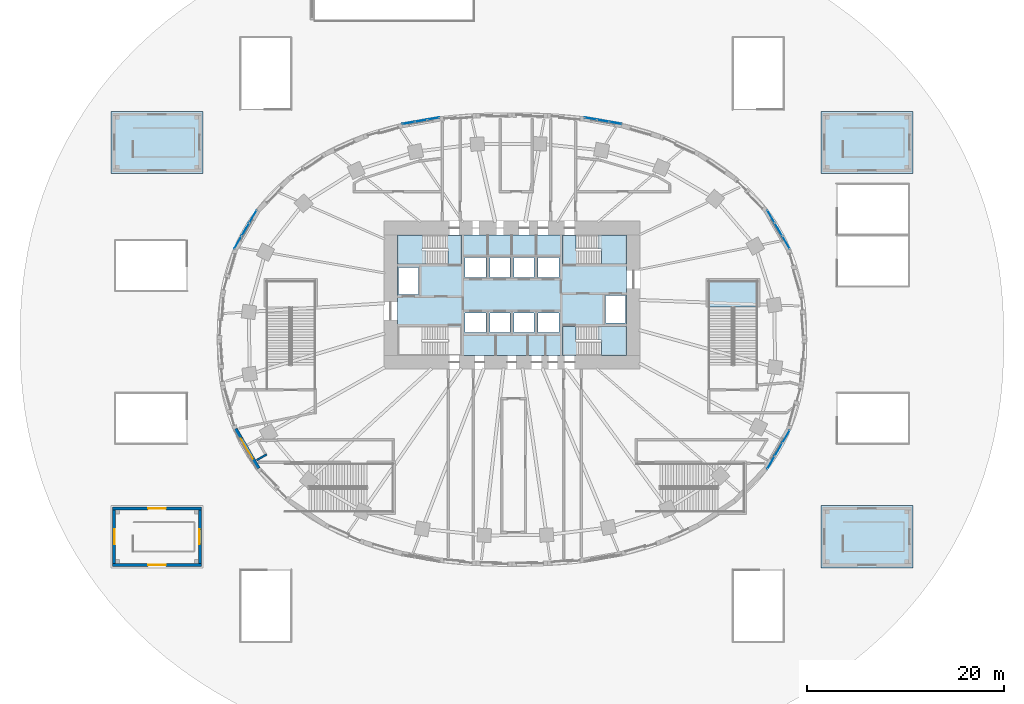
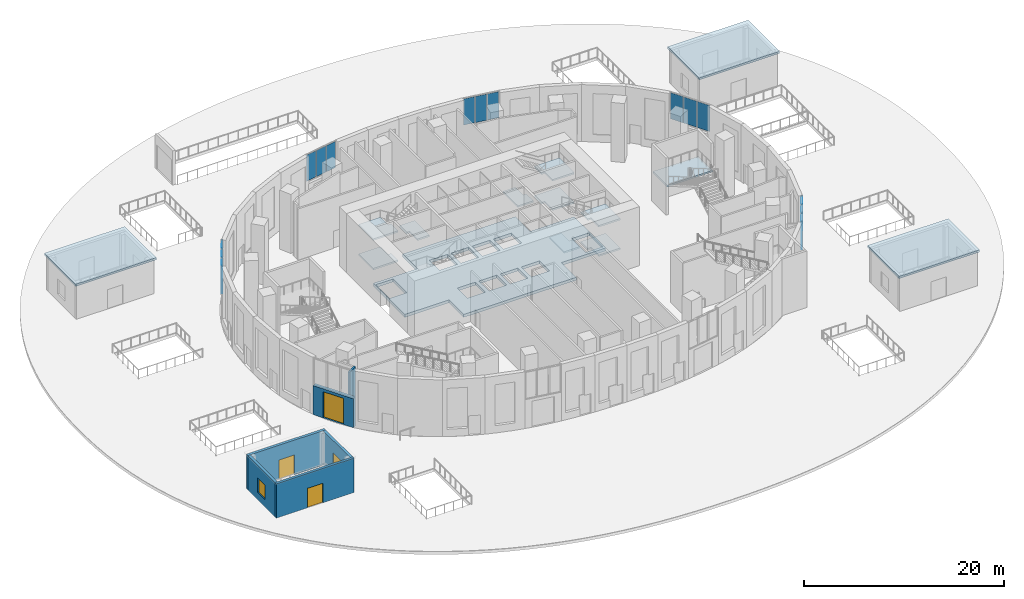
# One storey, part 10 of 27: 15 plates, 14 slabs, 6 walls, 3 doors, 2 windows, 5 openings, 9 elements without a shape of their own.
"""IFC4 building model written with IfcOpenShell, lengths in metres."""

from ifc_helpers import new_model, si_unit, direction, frame, frame_2d, origin, origin_2d, place, context, subcontext, project, spatial, polyline, rectangle, outline, extrude, material, layer, layer_set, type_object, element, fill, aggregate, save


model = new_model("IFC4")

# Units and contexts
model_context = context("Model", 3, precision=1e-05, world=origin(), true_north=direction((0.0, 1.0)))
body_context = subcontext(model_context, "Body", "Model", "MODEL_VIEW")
ifc_project = project(units=[si_unit("LENGTHUNIT", "METRE"), si_unit("AREAUNIT", "SQUARE_METRE"), si_unit("VOLUMEUNIT", "CUBIC_METRE"), si_unit("PLANEANGLEUNIT", "RADIAN"), si_unit("MASSUNIT", "GRAM", prefix="KILO")], contexts=[model_context])

# Site, building, storey
site_placement = place(None, origin())
site = spatial("IfcSite", under=ifc_project, at=site_placement, CompositionType="ELEMENT")
building_placement = place(site_placement, origin())
building = spatial("IfcBuilding", under=site, at=building_placement, Name="Rubra Terraces Tower", CompositionType="ELEMENT")
storey_placement = place(building_placement, origin())
storey = spatial("IfcBuildingStorey", under=building, at=storey_placement, Name="L00", CompositionType="ELEMENT", Elevation=0.0)

# Slab
ifc_material_1 = material(Name="Concrete C40", Category="concrete")
ifc_layer_1 = layer(ifc_material_1, 0.35009765625)
ifc_layer_set_1 = layer_set([ifc_layer_1], Name="Concrete C40")
slab_type_1 = type_object("IfcSlabType", Name="Core floor slab 350 concrete", PredefinedType="FLOOR", material=ifc_layer_set_1)
slab_1_placement = place(storey_placement, frame((0.0, 0.0, -0.35009765625)))
element("IfcSlab", 1, at=slab_1_placement, inside=storey, type_object=slab_type_1, Name="CORE FLOOR SLAB L00", PredefinedType="FLOOR", context=body_context, shape_type="SweptSolid", body=[
    extrude(outline(polyline([(-11.60009765625, 1.347900390625), (-11.60009765625, 7.652099609375), (-6.501953125, 7.652099609375), (-6.501953125, 10.60009765625), (6.501953125, 10.60009765625), (6.501953125, 7.652099609375), (11.60009765625, 7.652099609375), (11.60009765625, 1.347900390625), (6.501953125, 1.347900390625), (6.501953125, -1.60009765625), (-6.501953125, -1.60009765625), (-6.501953125, 1.347900390625), (-11.60009765625, 1.347900390625)]), holes=[polyline([(9.5, 1.699951171875), (11.5, 1.699951171875), (11.5, 4.449951171875), (9.5, 4.449951171875), (9.5, 1.699951171875)]), polyline([(4.75, 0.699951171875), (4.75, 2.699951171875), (2.64990234375, 2.699951171875), (2.64990234375, 0.699951171875), (4.75, 0.699951171875)]), polyline([(4.75, 6.300048828125), (4.75, 8.300048828125), (2.64990234375, 8.300048828125), (2.64990234375, 6.300048828125), (4.75, 6.300048828125)]), polyline([(2.25, 0.699951171875), (2.25, 2.699951171875), (0.199951171875, 2.699951171875), (0.199951171875, 0.699951171875), (2.25, 0.699951171875)]), polyline([(2.25, 6.300048828125), (2.25, 8.300048828125), (0.199951171875, 8.300048828125), (0.199951171875, 6.300048828125), (2.25, 6.300048828125)]), polyline([(-0.199951171875, 0.699951171875), (-0.199951171875, 2.699951171875), (-2.25, 2.699951171875), (-2.25, 0.699951171875), (-0.199951171875, 0.699951171875)]), polyline([(-0.199951171875, 6.300048828125), (-0.199951171875, 8.300048828125), (-2.25, 8.300048828125), (-2.25, 6.300048828125), (-0.199951171875, 6.300048828125)]), polyline([(-2.64990234375, 0.699951171875), (-2.64990234375, 2.699951171875), (-4.75, 2.699951171875), (-4.75, 0.699951171875), (-2.64990234375, 0.699951171875)]), polyline([(-2.64990234375, 8.300048828125), (-4.75, 8.300048828125), (-4.75, 6.300048828125), (-2.64990234375, 6.300048828125), (-2.64990234375, 8.300048828125)]), polyline([(-9.5, 7.300048828125), (-11.5, 7.300048828125), (-11.5, 4.550048828125), (-9.5, 4.550048828125), (-9.5, 7.300048828125)])]), origin(), (0.0, 0.0, 1.0), 0.35009765625),
])

# Stair, slabs
stair_type_1 = type_object("IfcStairType", Name="Core stair 1400", PredefinedType="HALF_TURN_STAIR", material=ifc_material_1)
stair_1_placement = place(storey_placement, origin())
stair_1 = element("IfcStair", 2, at=stair_1_placement, inside=storey, type_object=stair_type_1, Name="L00 Exit stair S2", PredefinedType="HALF_TURN_STAIR")
ifc_layer_2 = layer(ifc_material_1, 0.199951171875)
ifc_layer_set_2 = layer_set([ifc_layer_2], Name="Concrete C40")
slab_type_2 = type_object("IfcSlabType", Name="Core stair landing 200", PredefinedType="LANDING", material=ifc_layer_set_2)
slab_2_placement = place(storey_placement, frame((0.0, 0.0, 1.60009765625)))
slab_2 = element("IfcSlab", 3, at=slab_2_placement, type_object=slab_type_2, Name="S2 landing 1", PredefinedType="LANDING", context=body_context, shape_type="SweptSolid", body=[
    extrude(outline(polyline([(-8.719970703125, 9.050048828125), (-8.719970703125, 7.64990234375), (-9.1201171875, 7.64990234375), (-11.60009765625, 7.64990234375), (-11.60009765625, 10.60009765625), (-9.1201171875, 10.60009765625), (-9.10009765625, 10.60009765625), (-9.097900390625, 10.60009765625), (-9.097900390625, 9.199951171875), (-9.10009765625, 9.199951171875), (-9.10009765625, 9.050048828125), (-8.719970703125, 9.050048828125)])), origin(), (0.0, 0.0, 1.0), 0.199951171875),
])
slab_3_placement = place(storey_placement, frame((0.0, 0.0, 3.39990234375)))
slab_3 = element("IfcSlab", 4, at=slab_3_placement, type_object=slab_type_2, Name="S2 landing 2", PredefinedType="LANDING", context=body_context, shape_type="SweptSolid", body=[
    extrude(outline(polyline([(-6.5, 9.050048828125), (-6.5, 9.199951171875), (-6.8798828125, 9.199951171875), (-6.8798828125, 10.60009765625), (-6.5, 10.60009765625), (-6.47998046875, 10.60009765625), (-5.10009765625, 10.60009765625), (-5.10009765625, 7.64990234375), (-6.47998046875, 7.64990234375), (-6.501953125, 7.64990234375), (-6.501953125, 9.050048828125), (-6.5, 9.050048828125)])), origin(), (0.0, 0.0, 1.0), 0.2001953125),
])
slab_4_placement = place(storey_placement, frame((0.0, 0.0, 5.199951171875)))
slab_4 = element("IfcSlab", 5, at=slab_4_placement, type_object=slab_type_2, Name="S2 landing 3", PredefinedType="LANDING", context=body_context, shape_type="SweptSolid", body=[
    extrude(outline(polyline([(-8.719970703125, 9.050048828125), (-8.719970703125, 7.64990234375), (-9.1201171875, 7.64990234375), (-11.60009765625, 7.64990234375), (-11.60009765625, 10.60009765625), (-9.1201171875, 10.60009765625), (-9.10009765625, 10.60009765625), (-9.097900390625, 10.60009765625), (-9.097900390625, 9.199951171875), (-9.10009765625, 9.199951171875), (-9.10009765625, 9.050048828125), (-8.719970703125, 9.050048828125)])), origin(), (0.0, 0.0, 1.0), 0.199951171875),
])
aggregate(stair_1, [slab_2, slab_3, slab_4])

stair_2_placement = place(storey_placement, origin())
stair_2 = element("IfcStair", 6, at=stair_2_placement, inside=storey, type_object=stair_type_1, Name="L00 Exit stair S3", PredefinedType="HALF_TURN_STAIR")
slab_5_placement = place(storey_placement, frame((0.0, 0.0, 1.60009765625)))
slab_5 = element("IfcSlab", 7, at=slab_5_placement, type_object=slab_type_2, Name="S3 landing 1", PredefinedType="LANDING", context=body_context, shape_type="SweptSolid", body=[
    extrude(outline(polyline([(9.10009765625, 9.050048828125), (9.10009765625, 9.199951171875), (8.719970703125, 9.199951171875), (8.719970703125, 10.60009765625), (9.10009765625, 10.60009765625), (9.1201171875, 10.60009765625), (11.60009765625, 10.60009765625), (11.60009765625, 7.64990234375), (9.1201171875, 7.64990234375), (9.097900390625, 7.64990234375), (9.097900390625, 9.050048828125), (9.10009765625, 9.050048828125)])), origin(), (0.0, 0.0, 1.0), 0.199951171875),
])
slab_6_placement = place(storey_placement, frame((0.0, 0.0, 3.39990234375)))
slab_6 = element("IfcSlab", 8, at=slab_6_placement, type_object=slab_type_2, Name="S3 landing 2", PredefinedType="LANDING", context=body_context, shape_type="SweptSolid", body=[
    extrude(outline(polyline([(6.8798828125, 9.050048828125), (6.8798828125, 7.64990234375), (6.47998046875, 7.64990234375), (5.10009765625, 7.64990234375), (5.10009765625, 10.60009765625), (6.47998046875, 10.60009765625), (6.5, 10.60009765625), (6.501953125, 10.60009765625), (6.501953125, 9.199951171875), (6.5, 9.199951171875), (6.5, 9.050048828125), (6.8798828125, 9.050048828125)])), origin(), (0.0, 0.0, 1.0), 0.2001953125),
])
slab_7_placement = place(storey_placement, frame((0.0, 0.0, 5.199951171875)))
slab_7 = element("IfcSlab", 9, at=slab_7_placement, type_object=slab_type_2, Name="S3 landing 3", PredefinedType="LANDING", context=body_context, shape_type="SweptSolid", body=[
    extrude(outline(polyline([(9.10009765625, 9.050048828125), (9.10009765625, 9.199951171875), (8.719970703125, 9.199951171875), (8.719970703125, 10.60009765625), (9.10009765625, 10.60009765625), (9.1201171875, 10.60009765625), (11.60009765625, 10.60009765625), (11.60009765625, 7.64990234375), (9.1201171875, 7.64990234375), (9.097900390625, 7.64990234375), (9.097900390625, 9.050048828125), (9.10009765625, 9.050048828125)])), origin(), (0.0, 0.0, 1.0), 0.199951171875),
])
aggregate(stair_2, [slab_5, slab_6, slab_7])

stair_3_placement = place(storey_placement, origin())
stair_3 = element("IfcStair", 10, at=stair_3_placement, inside=storey, type_object=stair_type_1, Name="L00 Exit stair S4", PredefinedType="HALF_TURN_STAIR")
slab_8_placement = place(storey_placement, frame((0.0, 0.0, 1.60009765625)))
slab_8 = element("IfcSlab", 11, at=slab_8_placement, type_object=slab_type_2, Name="S4 landing 1", PredefinedType="LANDING", context=body_context, shape_type="SweptSolid", body=[
    extrude(outline(polyline([(9.10009765625, -0.199951171875), (9.10009765625, -0.050048828125), (8.719970703125, -0.050048828125), (8.719970703125, 1.35009765625), (9.10009765625, 1.35009765625), (9.1201171875, 1.35009765625), (11.60009765625, 1.35009765625), (11.60009765625, -1.60009765625), (9.1201171875, -1.60009765625), (9.10009765625, -1.60009765625), (9.097900390625, -1.60009765625), (9.097900390625, -0.199951171875), (9.10009765625, -0.199951171875)])), origin(), (0.0, 0.0, 1.0), 0.199951171875),
])
slab_9_placement = place(storey_placement, frame((0.0, 0.0, 3.39990234375)))
slab_9 = element("IfcSlab", 12, at=slab_9_placement, type_object=slab_type_2, Name="S4 landing 2", PredefinedType="LANDING", context=body_context, shape_type="SweptSolid", body=[
    extrude(outline(polyline([(6.8798828125, -0.199951171875), (6.8798828125, -1.60009765625), (6.5, -1.60009765625), (6.47998046875, -1.60009765625), (5.10009765625, -1.60009765625), (5.10009765625, 1.35009765625), (6.47998046875, 1.35009765625), (6.501953125, 1.35009765625), (6.501953125, -0.050048828125), (6.5, -0.050048828125), (6.5, -0.199951171875), (6.8798828125, -0.199951171875)])), origin(), (0.0, 0.0, 1.0), 0.2001953125),
])
slab_10_placement = place(storey_placement, frame((0.0, 0.0, 5.199951171875)))
slab_10 = element("IfcSlab", 13, at=slab_10_placement, type_object=slab_type_2, Name="S4 landing 3", PredefinedType="LANDING", context=body_context, shape_type="SweptSolid", body=[
    extrude(outline(polyline([(9.10009765625, -0.199951171875), (9.10009765625, -0.050048828125), (8.719970703125, -0.050048828125), (8.719970703125, 1.35009765625), (9.10009765625, 1.35009765625), (9.1201171875, 1.35009765625), (11.60009765625, 1.35009765625), (11.60009765625, -1.60009765625), (9.1201171875, -1.60009765625), (9.10009765625, -1.60009765625), (9.097900390625, -1.60009765625), (9.097900390625, -0.199951171875), (9.10009765625, -0.199951171875)])), origin(), (0.0, 0.0, 1.0), 0.199951171875),
])
aggregate(stair_3, [slab_8, slab_9, slab_10])

# Curtain wall, plates
ifc_material_2 = material(Name="Aluminium and glass", Category="aluminium")
curtain_wall_type = type_object("IfcCurtainWallType", Name="Curtain wall Entrance screen glazing", PredefinedType="NOTDEFINED", material=ifc_material_2)
curtain_wall_1_placement = place(storey_placement, origin())
curtain_wall_1 = element("IfcCurtainWall", 14, at=curtain_wall_1_placement, inside=storey, type_object=curtain_wall_type, Name="L00 entrance screen bay 3", PredefinedType="NOTDEFINED")
ifc_material_3 = material(Name="Clear glass, laminated", Category="glass")
ifc_layer_3 = layer(ifc_material_3, 0.028076171875)
ifc_layer_set_3 = layer_set([ifc_layer_3], Name="Clear glass, laminated")
plate_type = type_object("IfcPlateType", Name="Entrance screen glazing glass panel 28", PredefinedType="CURTAIN_PANEL", material=ifc_layer_set_3)
plate_1_placement = place(storey_placement, frame((27.805908203125, 9.83154296875, 3.64990234375), z_axis=(0.0, 0.0, 1.0), x_axis=(-0.502094070187, 0.864813011398, 0.0)))
plate_1 = element("IfcPlate", 15, at=plate_1_placement, type_object=plate_type, Name="CW5 panel 1.1", PredefinedType="CURTAIN_PANEL", context=body_context, shape_type="SweptSolid", body=[
    extrude(rectangle(XDim=1.462158203125, YDim=0.028076171875, at=origin_2d()), origin(), (0.0, 0.0, 1.0), 3.199951171875),
])
plate_2_placement = place(storey_placement, frame((27.0341796875, 11.160888671875, 3.64990234375), z_axis=(0.0, 0.0, 1.0), x_axis=(-0.502094070187, 0.864813011398, 0.0)))
plate_2 = element("IfcPlate", 16, at=plate_2_placement, type_object=plate_type, Name="CW5 panel 2.1", PredefinedType="CURTAIN_PANEL", context=body_context, shape_type="SweptSolid", body=[
    extrude(rectangle(XDim=1.4921875, YDim=0.028076171875, at=origin_2d()), origin(), (0.0, 0.0, 1.0), 3.199951171875),
])
plate_3_placement = place(storey_placement, frame((26.26220703125, 12.490234375, 3.64990234375), z_axis=(0.0, 0.0, 1.0), x_axis=(-0.502094070187, 0.864813011398, 0.0)))
plate_3 = element("IfcPlate", 17, at=plate_3_placement, type_object=plate_type, Name="CW5 panel 3.1", PredefinedType="CURTAIN_PANEL", context=body_context, shape_type="SweptSolid", body=[
    extrude(rectangle(XDim=1.462158203125, YDim=0.028076171875, at=origin_2d()), origin(), (0.0, 0.0, 1.0), 3.199951171875),
])
aggregate(curtain_wall_1, [plate_1, plate_2, plate_3])

curtain_wall_2_placement = place(storey_placement, origin())
curtain_wall_2 = element("IfcCurtainWall", 18, at=curtain_wall_2_placement, inside=storey, type_object=curtain_wall_type, Name="L00 entrance screen bay 8", PredefinedType="NOTDEFINED")
plate_4_placement = place(storey_placement, frame((10.5068359375, 21.96875, 3.64990234375), z_axis=(0.0, 0.0, 1.0), x_axis=(-0.984953952909, 0.172816985997, 0.0)))
plate_4 = element("IfcPlate", 19, at=plate_4_placement, type_object=plate_type, Name="CW5 panel 1.1", PredefinedType="CURTAIN_PANEL", context=body_context, shape_type="SweptSolid", body=[
    extrude(rectangle(XDim=1.2060546875, YDim=0.028076171875, at=origin_2d()), origin(), (0.0, 0.0, 1.0), 3.199951171875),
])
plate_5_placement = place(storey_placement, frame((9.2451171875, 22.190185546875, 3.64990234375), z_axis=(0.0, 0.0, 1.0), x_axis=(-0.984953952909, 0.172816985997, 0.0)))
plate_5 = element("IfcPlate", 20, at=plate_5_placement, type_object=plate_type, Name="CW5 panel 2.1", PredefinedType="CURTAIN_PANEL", context=body_context, shape_type="SweptSolid", body=[
    extrude(rectangle(XDim=1.236083984375, YDim=0.028076171875, at=origin_2d()), origin(), (0.0, 0.0, 1.0), 3.199951171875),
])
plate_6_placement = place(storey_placement, frame((7.983154296875, 22.41162109375, 3.64990234375), z_axis=(0.0, 0.0, 1.0), x_axis=(-0.984953952909, 0.172816985997, 0.0)))
plate_6 = element("IfcPlate", 21, at=plate_6_placement, type_object=plate_type, Name="CW5 panel 3.1", PredefinedType="CURTAIN_PANEL", context=body_context, shape_type="SweptSolid", body=[
    extrude(rectangle(XDim=1.2060546875, YDim=0.028076171875, at=origin_2d()), origin(), (0.0, 0.0, 1.0), 3.199951171875),
])
aggregate(curtain_wall_2, [plate_4, plate_5, plate_6])

curtain_wall_3_placement = place(storey_placement, origin())
curtain_wall_3 = element("IfcCurtainWall", 22, at=curtain_wall_3_placement, inside=storey, type_object=curtain_wall_type, Name="L00 entrance screen bay 13", PredefinedType="NOTDEFINED")
plate_7_placement = place(storey_placement, frame((-7.983154296875, 22.41162109375, 3.64990234375), z_axis=(0.0, 0.0, 1.0), x_axis=(-0.984953952909, -0.172816985997, 0.0)))
plate_7 = element("IfcPlate", 23, at=plate_7_placement, type_object=plate_type, Name="CW5 panel 1.1", PredefinedType="CURTAIN_PANEL", context=body_context, shape_type="SweptSolid", body=[
    extrude(rectangle(XDim=1.2060546875, YDim=0.028076171875, at=origin_2d()), origin(), (0.0, 0.0, 1.0), 3.199951171875),
])
plate_8_placement = place(storey_placement, frame((-9.2451171875, 22.190185546875, 3.64990234375), z_axis=(0.0, 0.0, 1.0), x_axis=(-0.984953952909, -0.172816985997, 0.0)))
plate_8 = element("IfcPlate", 24, at=plate_8_placement, type_object=plate_type, Name="CW5 panel 2.1", PredefinedType="CURTAIN_PANEL", context=body_context, shape_type="SweptSolid", body=[
    extrude(rectangle(XDim=1.236083984375, YDim=0.028076171875, at=origin_2d()), origin(), (0.0, 0.0, 1.0), 3.199951171875),
])
plate_9_placement = place(storey_placement, frame((-10.5068359375, 21.96875, 3.64990234375), z_axis=(0.0, 0.0, 1.0), x_axis=(-0.984953952909, -0.172816985997, 0.0)))
plate_9 = element("IfcPlate", 25, at=plate_9_placement, type_object=plate_type, Name="CW5 panel 3.1", PredefinedType="CURTAIN_PANEL", context=body_context, shape_type="SweptSolid", body=[
    extrude(rectangle(XDim=1.2060546875, YDim=0.028076171875, at=origin_2d()), origin(), (0.0, 0.0, 1.0), 3.199951171875),
])
aggregate(curtain_wall_3, [plate_7, plate_8, plate_9])

curtain_wall_4_placement = place(storey_placement, origin())
curtain_wall_4 = element("IfcCurtainWall", 26, at=curtain_wall_4_placement, inside=storey, type_object=curtain_wall_type, Name="L00 entrance screen bay 18", PredefinedType="NOTDEFINED")
plate_10_placement = place(storey_placement, frame((-26.26220703125, 12.490234375, 3.64990234375), z_axis=(0.0, 0.0, 1.0), x_axis=(-0.502094070187, -0.864813011398, 0.0)))
plate_10 = element("IfcPlate", 27, at=plate_10_placement, type_object=plate_type, Name="CW5 panel 1.1", PredefinedType="CURTAIN_PANEL", context=body_context, shape_type="SweptSolid", body=[
    extrude(rectangle(XDim=1.462158203125, YDim=0.028076171875, at=origin_2d()), origin(), (0.0, 0.0, 1.0), 3.199951171875),
])
plate_11_placement = place(storey_placement, frame((-27.0341796875, 11.160888671875, 3.64990234375), z_axis=(0.0, 0.0, 1.0), x_axis=(-0.502094070187, -0.864813011398, 0.0)))
plate_11 = element("IfcPlate", 28, at=plate_11_placement, type_object=plate_type, Name="CW5 panel 2.1", PredefinedType="CURTAIN_PANEL", context=body_context, shape_type="SweptSolid", body=[
    extrude(rectangle(XDim=1.4921875, YDim=0.028076171875, at=origin_2d()), origin(), (0.0, 0.0, 1.0), 3.199951171875),
])
plate_12_placement = place(storey_placement, frame((-27.805908203125, 9.83154296875, 3.64990234375), z_axis=(0.0, 0.0, 1.0), x_axis=(-0.502094070187, -0.864813011398, 0.0)))
plate_12 = element("IfcPlate", 29, at=plate_12_placement, type_object=plate_type, Name="CW5 panel 3.1", PredefinedType="CURTAIN_PANEL", context=body_context, shape_type="SweptSolid", body=[
    extrude(rectangle(XDim=1.462158203125, YDim=0.028076171875, at=origin_2d()), origin(), (0.0, 0.0, 1.0), 3.199951171875),
])
aggregate(curtain_wall_4, [plate_10, plate_11, plate_12])

curtain_wall_5_placement = place(storey_placement, origin())
curtain_wall_5 = element("IfcCurtainWall", 30, at=curtain_wall_5_placement, inside=storey, type_object=curtain_wall_type, Name="L00 entrance screen bay 38", PredefinedType="NOTDEFINED")
plate_13_placement = place(storey_placement, frame((26.26220703125, -12.490234375, 3.64990234375), z_axis=(0.0, 0.0, 1.0), x_axis=(0.502094070187, 0.864813011398, 0.0)))
plate_13 = element("IfcPlate", 31, at=plate_13_placement, type_object=plate_type, Name="CW5 panel 1.1", PredefinedType="CURTAIN_PANEL", context=body_context, shape_type="SweptSolid", body=[
    extrude(rectangle(XDim=1.462158203125, YDim=0.028076171875, at=origin_2d()), origin(), (0.0, 0.0, 1.0), 3.199951171875),
])
plate_14_placement = place(storey_placement, frame((27.0341796875, -11.160888671875, 3.64990234375), z_axis=(0.0, 0.0, 1.0), x_axis=(0.502094070187, 0.864813011398, 0.0)))
plate_14 = element("IfcPlate", 32, at=plate_14_placement, type_object=plate_type, Name="CW5 panel 2.1", PredefinedType="CURTAIN_PANEL", context=body_context, shape_type="SweptSolid", body=[
    extrude(rectangle(XDim=1.4921875, YDim=0.028076171875, at=origin_2d()), origin(), (0.0, 0.0, 1.0), 3.199951171875),
])
plate_15_placement = place(storey_placement, frame((27.805908203125, -9.83154296875, 3.64990234375), z_axis=(0.0, 0.0, 1.0), x_axis=(0.502094070187, 0.864813011398, 0.0)))
plate_15 = element("IfcPlate", 33, at=plate_15_placement, type_object=plate_type, Name="CW5 panel 3.1", PredefinedType="CURTAIN_PANEL", context=body_context, shape_type="SweptSolid", body=[
    extrude(rectangle(XDim=1.462158203125, YDim=0.028076171875, at=origin_2d()), origin(), (0.0, 0.0, 1.0), 3.199951171875),
])
aggregate(curtain_wall_5, [plate_13, plate_14, plate_15])

# Slabs
ifc_material_4 = material(Name="Concrete C35/45", Category="concrete")
ifc_layer_4 = layer(ifc_material_4, 0.25)
ifc_layer_set_4 = layer_set([ifc_layer_4], Name="Concrete C35/45")
slab_type_3 = type_object("IfcSlabType", Name="Pavilion roof slab 250", PredefinedType="ROOF", material=ifc_layer_set_4)
slab_11_placement = place(storey_placement, frame((0.0, 0.0, 4.199951171875)))
element("IfcSlab", 34, at=slab_11_placement, inside=storey, type_object=slab_type_3, Name="Pavilion roof SP1", PredefinedType="ROOF", context=body_context, shape_type="SweptSolid", body=[
    extrude(outline(polyline([(31.35009765625, 16.85009765625), (40.64990234375, 16.85009765625), (40.64990234375, 23.14990234375), (31.35009765625, 23.14990234375), (31.35009765625, 16.85009765625)])), origin(), (0.0, 0.0, 1.0), 0.25),
])
slab_12_placement = place(storey_placement, frame((0.0, 0.0, 4.199951171875)))
element("IfcSlab", 35, at=slab_12_placement, inside=storey, type_object=slab_type_3, Name="Pavilion roof SP2", PredefinedType="ROOF", context=body_context, shape_type="SweptSolid", body=[
    extrude(outline(polyline([(-40.64990234375, 16.85009765625), (-31.35009765625, 16.85009765625), (-31.35009765625, 23.14990234375), (-40.64990234375, 23.14990234375), (-40.64990234375, 16.85009765625)])), origin(), (0.0, 0.0, 1.0), 0.25),
])
slab_13_placement = place(storey_placement, frame((0.0, 0.0, 4.199951171875)))
element("IfcSlab", 36, at=slab_13_placement, inside=storey, type_object=slab_type_3, Name="Pavilion roof SP4", PredefinedType="ROOF", context=body_context, shape_type="SweptSolid", body=[
    extrude(outline(polyline([(31.35009765625, -23.14990234375), (40.64990234375, -23.14990234375), (40.64990234375, -16.85009765625), (31.35009765625, -16.85009765625), (31.35009765625, -23.14990234375)])), origin(), (0.0, 0.0, 1.0), 0.25),
])

# Stair, slab
ifc_material_5 = material(Name="Concrete C40/50", Category="concrete")
stair_type_2 = type_object("IfcStairType", Name="Public stair", PredefinedType="HALF_TURN_STAIR", material=ifc_material_5)
stair_4_placement = place(storey_placement, origin())
stair_4 = element("IfcStair", 37, at=stair_4_placement, inside=storey, type_object=stair_type_2, Name="L00 public stair PS2", PredefinedType="HALF_TURN_STAIR")
ifc_layer_5 = layer(ifc_material_5, 0.199951171875)
ifc_layer_set_5 = layer_set([ifc_layer_5], Name="Concrete C40/50")
slab_type_4 = type_object("IfcSlabType", Name="Public stair landing 200", PredefinedType="LANDING", material=ifc_layer_set_5)
slab_14_placement = place(storey_placement, frame((0.0, 0.0, 3.39990234375)))
slab_14 = element("IfcSlab", 38, at=slab_14_placement, type_object=slab_type_4, Name="PS2 landing 1", PredefinedType="LANDING", context=body_context, shape_type="SweptSolid", body=[
    extrude(outline(polyline([(19.800048828125, 3.280029296875), (25.050048828125, 3.280029296875), (25.050048828125, 6.110107421875), (19.800048828125, 6.110107421875), (19.800048828125, 3.280029296875)])), origin(), (0.0, 0.0, 1.0), 0.2001953125),
])
aggregate(stair_4, [slab_14])

# Wall, opening, door
ifc_material_6 = material(Name="Brick masonry red-brown", Category="masonry")
ifc_layer_6 = layer(ifc_material_6, 0.449951171875)
ifc_layer_set_6 = layer_set([ifc_layer_6], Name="Brick masonry red-brown")
wall_type_1 = type_object("IfcWallType", Name="Brick wall under entrance screen 450", PredefinedType="SOLIDWALL", material=ifc_layer_set_6)
wall_1_placement = place(storey_placement, frame((-28.073486328125, -9.072021484375, 0.0), z_axis=(0.0, 0.0, 1.0), x_axis=(0.502106426501, -0.864805837438, 0.0)))
wall_1 = element("IfcWall", 39, at=wall_1_placement, inside=storey, type_object=wall_type_1, Name="Facade wall L00 bay 23", PredefinedType="SOLIDWALL", context=body_context, shape_type="SweptSolid", body=[
    extrude(rectangle(XDim=4.65673828125, YDim=0.449951171875, at=frame_2d((2.328369140625, 0.0))), origin(), (0.0, 0.0, 1.0), 3.550048828125),
])
opening_1_placement = place(wall_1_placement, frame((1.128173828125, 0.0, 0.0)))
opening_1 = element("IfcOpeningElement", 40, at=opening_1_placement, cuts=wall_1, Name="Opening X1.05", PredefinedType="OPENING", context=body_context, shape_type="SweptSolid", body=[
    extrude(rectangle(XDim=2.39990234375, YDim=3.199951171875, at=frame_2d((1.199951171875, 1.60009765625))), frame((0.0, 0.23486328125, 0.0), z_axis=(0.0, -1.0, 0.0), x_axis=(1.0, 0.0, 0.0)), (0.0, 0.0, 1.0), 0.469970703125),
])
ifc_material_7 = material(Name="Glazed aluminium door leaf", Category="aluminium")
door_type_1 = type_object("IfcDoorType", Name="Entrance double door 2400 x 3200", OperationType="DOUBLE_DOOR_DOUBLE_SWING", PredefinedType="DOOR", material=ifc_material_7)
door_1_placement = place(opening_1_placement, origin())
door_1 = element("IfcDoor", 41, at=door_1_placement, inside=storey, type_object=door_type_1, Name="Entrance double door 5", OperationType="DOUBLE_DOOR_DOUBLE_SWING", OverallHeight=3.199951171875, OverallWidth=2.39990234375, PredefinedType="DOOR", context=body_context, shape_type="SweptSolid", body=[
    extrude(rectangle(XDim=2.39990234375, YDim=3.199951171875, at=frame_2d((1.199951171875, 1.60009765625))), frame((0.0, 0.02490234375, 0.0), z_axis=(0.0, -1.0, 0.0), x_axis=(1.0, 0.0, 0.0)), (0.0, 0.0, 1.0), 0.050048828125),
])
fill(opening_1, door_1)

# Wall
ifc_material_8 = material(Name="Blockwork", Category="masonry")
ifc_layer_7 = layer(ifc_material_8, 0.199951171875)
ifc_layer_set_7 = layer_set([ifc_layer_7], Name="Blockwork")
wall_type_2 = type_object("IfcWallType", Name="Corridor partition 200 blockwork", PredefinedType="PARTITIONING", material=ifc_layer_set_7)
wall_2_placement = place(storey_placement, frame((-25.885009765625, -12.22802734375, 0.0), z_axis=(0.0, 0.0, 1.0), x_axis=(0.864771360507, 0.502165803343, 0.0)))
element("IfcWall", 42, at=wall_2_placement, inside=storey, type_object=wall_type_2, Name="Partition wall", PredefinedType="PARTITIONING", context=body_context, shape_type="SweptSolid", body=[
    extrude(rectangle(XDim=1.166748046875, YDim=0.199951171875, at=frame_2d((0.58349609375, 0.0))), origin(), (0.0, 0.0, 1.0), 6.22998046875),
])

# Wall, opening, door
ifc_layer_8 = layer(ifc_material_6, 0.300048828125)
ifc_layer_set_8 = layer_set([ifc_layer_8], Name="Brick masonry red-brown")
wall_type_3 = type_object("IfcWallType", Name="Pavilion brick wall 300", PredefinedType="SOLIDWALL", material=ifc_layer_set_8)
wall_3_placement = place(storey_placement, frame((-40.5, -22.85009765625, 0.0), z_axis=(0.0, 0.0, 1.0), x_axis=(1.0, 0.0, 0.0)))
wall_3 = element("IfcWall", 43, at=wall_3_placement, inside=storey, type_object=wall_type_3, Name="Pavilion SP3 wall S", PredefinedType="SOLIDWALL", context=body_context, shape_type="SweptSolid", body=[
    extrude(rectangle(XDim=9.0, YDim=0.300048828125, at=frame_2d((4.5, 0.0))), origin(), (0.0, 0.0, 1.0), 4.199951171875),
])
opening_2_placement = place(wall_3_placement, frame((3.60009765625, 0.0, 0.0)))
opening_2 = element("IfcOpeningElement", 44, at=opening_2_placement, cuts=wall_3, Name="Opening P3.S", PredefinedType="OPENING", context=body_context, shape_type="SweptSolid", body=[
    extrude(rectangle(XDim=1.800048828125, YDim=2.39990234375, at=frame_2d((0.89990234375, 1.199951171875))), frame((0.0, 0.159912109375, 0.0), z_axis=(0.0, -1.0, 0.0), x_axis=(1.0, 0.0, 0.0)), (0.0, 0.0, 1.0), 0.320068359375),
])
door_type_2 = type_object("IfcDoorType", Name="Pavilion double door 1800 x 2400", OperationType="DOUBLE_DOOR_DOUBLE_SWING", PredefinedType="DOOR", material=ifc_material_7)
door_2_placement = place(opening_2_placement, origin())
door_2 = element("IfcDoor", 45, at=door_2_placement, inside=storey, type_object=door_type_2, Name="Station entrance door SP3S", OperationType="DOUBLE_DOOR_DOUBLE_SWING", OverallHeight=2.39990234375, OverallWidth=1.800048828125, PredefinedType="DOOR", context=body_context, shape_type="SweptSolid", body=[
    extrude(rectangle(XDim=1.800048828125, YDim=2.39990234375, at=frame_2d((0.89990234375, 1.199951171875))), frame((0.0, 0.02490234375, 0.0), z_axis=(0.0, -1.0, 0.0), x_axis=(1.0, 0.0, 0.0)), (0.0, 0.0, 1.0), 0.050048828125),
])
fill(opening_2, door_2)

# Wall, opening, window
wall_4_placement = place(storey_placement, frame((-31.64990234375, -22.699951171875, 0.0), z_axis=(0.0, 0.0, 1.0), x_axis=(0.0, 1.0, 0.0)))
wall_4 = element("IfcWall", 46, at=wall_4_placement, inside=storey, type_object=wall_type_3, Name="Pavilion SP3 wall E", PredefinedType="SOLIDWALL", context=body_context, shape_type="SweptSolid", body=[
    extrude(rectangle(XDim=5.39990234375, YDim=0.300048828125, at=frame_2d((2.699951171875, 0.0))), origin(), (0.0, 0.0, 1.0), 4.199951171875),
])
opening_3_placement = place(wall_4_placement, frame((1.949951171875, 0.0, 0.89990234375)))
opening_3 = element("IfcOpeningElement", 47, at=opening_3_placement, cuts=wall_4, Name="Opening W5", PredefinedType="OPENING", context=body_context, shape_type="SweptSolid", body=[
    extrude(rectangle(XDim=1.5, YDim=1.800048828125, at=frame_2d((0.75, 0.89990234375))), frame((0.0, 0.159912109375, 0.0), z_axis=(0.0, -1.0, 0.0), x_axis=(1.0, 0.0, 0.0)), (0.0, 0.0, 1.0), 0.320068359375),
])
ifc_material_9 = material(Name="Clear glass in aluminium frame", Category="aluminium")
window_type = type_object("IfcWindowType", Name="Pavilion window 1500 x 1800", PartitioningType="SINGLE_PANEL", PredefinedType="WINDOW", material=ifc_material_9)
window_1_placement = place(opening_3_placement, origin())
window_1 = element("IfcWindow", 48, at=window_1_placement, inside=storey, type_object=window_type, Name="Pavilion window SP3E", OverallHeight=1.800048828125, OverallWidth=1.5, PartitioningType="SINGLE_PANEL", PredefinedType="WINDOW", context=body_context, shape_type="SweptSolid", body=[
    extrude(rectangle(XDim=1.5, YDim=1.800048828125, at=frame_2d((0.75, 0.89990234375))), frame((0.0, 0.06005859375, 0.0), z_axis=(0.0, -1.0, 0.0), x_axis=(1.0, 0.0, 0.0)), (0.0, 0.0, 1.0), 0.06005859375),
])
fill(opening_3, window_1)

# Wall, opening, door
wall_5_placement = place(storey_placement, frame((-31.5, -17.14990234375, 0.0), z_axis=(0.0, 0.0, 1.0), x_axis=(-1.0, 0.0, 0.0)))
wall_5 = element("IfcWall", 49, at=wall_5_placement, inside=storey, type_object=wall_type_3, Name="Pavilion SP3 wall N", PredefinedType="SOLIDWALL", context=body_context, shape_type="SweptSolid", body=[
    extrude(rectangle(XDim=9.0, YDim=0.300048828125, at=frame_2d((4.5, 0.0))), origin(), (0.0, 0.0, 1.0), 4.199951171875),
])
opening_4_placement = place(wall_5_placement, frame((3.60009765625, 0.0, 0.0)))
opening_4 = element("IfcOpeningElement", 50, at=opening_4_placement, cuts=wall_5, Name="Opening P3.N", PredefinedType="OPENING", context=body_context, shape_type="SweptSolid", body=[
    extrude(rectangle(XDim=1.800048828125, YDim=2.39990234375, at=frame_2d((0.89990234375, 1.199951171875))), frame((0.0, 0.159912109375, 0.0), z_axis=(0.0, -1.0, 0.0), x_axis=(1.0, 0.0, 0.0)), (0.0, 0.0, 1.0), 0.320068359375),
])
door_3_placement = place(opening_4_placement, origin())
door_3 = element("IfcDoor", 51, at=door_3_placement, inside=storey, type_object=door_type_2, Name="Station entrance door SP3N", OperationType="DOUBLE_DOOR_DOUBLE_SWING", OverallHeight=2.39990234375, OverallWidth=1.800048828125, PredefinedType="DOOR", context=body_context, shape_type="SweptSolid", body=[
    extrude(rectangle(XDim=1.800048828125, YDim=2.39990234375, at=frame_2d((0.89990234375, 1.199951171875))), frame((0.0, 0.02490234375, 0.0), z_axis=(0.0, -1.0, 0.0), x_axis=(1.0, 0.0, 0.0)), (0.0, 0.0, 1.0), 0.050048828125),
])
fill(opening_4, door_3)

# Wall, opening, window
wall_6_placement = place(storey_placement, frame((-40.35009765625, -17.300048828125, 0.0), z_axis=(0.0, 0.0, 1.0), x_axis=(0.0, -1.0, 0.0)))
wall_6 = element("IfcWall", 52, at=wall_6_placement, inside=storey, type_object=wall_type_3, Name="Pavilion SP3 wall W", PredefinedType="SOLIDWALL", context=body_context, shape_type="SweptSolid", body=[
    extrude(rectangle(XDim=5.39990234375, YDim=0.300048828125, at=frame_2d((2.699951171875, 0.0))), origin(), (0.0, 0.0, 1.0), 4.199951171875),
])
opening_5_placement = place(wall_6_placement, frame((1.949951171875, 0.0, 0.89990234375)))
opening_5 = element("IfcOpeningElement", 53, at=opening_5_placement, cuts=wall_6, Name="Opening W5", PredefinedType="OPENING", context=body_context, shape_type="SweptSolid", body=[
    extrude(rectangle(XDim=1.5, YDim=1.800048828125, at=frame_2d((0.75, 0.89990234375))), frame((0.0, 0.159912109375, 0.0), z_axis=(0.0, -1.0, 0.0), x_axis=(1.0, 0.0, 0.0)), (0.0, 0.0, 1.0), 0.320068359375),
])
window_2_placement = place(opening_5_placement, origin())
window_2 = element("IfcWindow", 54, at=window_2_placement, inside=storey, type_object=window_type, Name="Pavilion window SP3W", OverallHeight=1.800048828125, OverallWidth=1.5, PartitioningType="SINGLE_PANEL", PredefinedType="WINDOW", context=body_context, shape_type="SweptSolid", body=[
    extrude(rectangle(XDim=1.5, YDim=1.800048828125, at=frame_2d((0.75, 0.89990234375))), frame((0.0, 0.06005859375, 0.0), z_axis=(0.0, -1.0, 0.0), x_axis=(1.0, 0.0, 0.0)), (0.0, 0.0, 1.0), 0.06005859375),
])
fill(opening_5, window_2)

save(model, "model.ifc")
